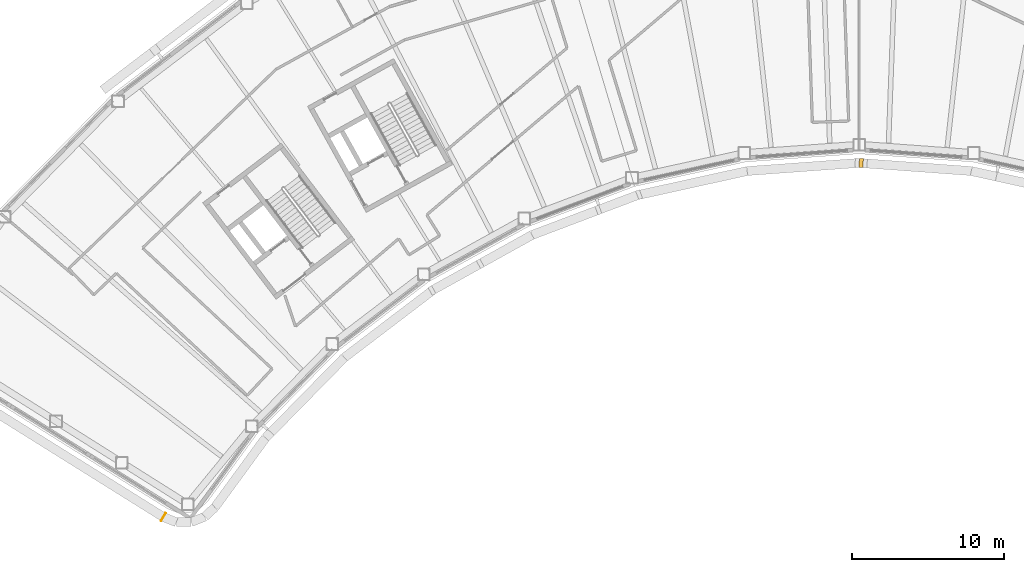
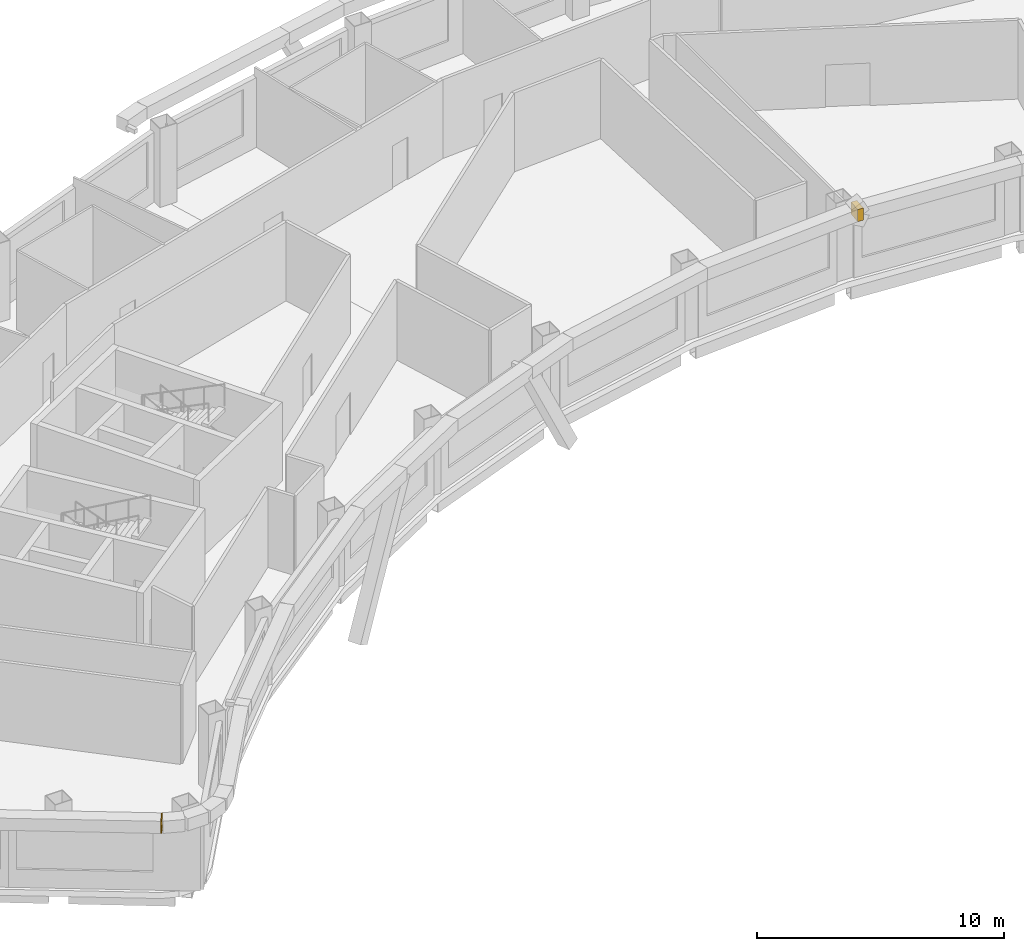
# One storey, part 15 of 15: 2 coverings.
"""IFC4 building model written with IfcOpenShell, lengths in metres."""

from ifc_helpers import new_model, si_unit, direction, frame, origin, origin_2d, place, context, subcontext, project, spatial, rectangle, extrude, material, material_profile, profile_set, type_object, element, save


model = new_model("IFC4")

# Units and contexts
model_context = context("Model", 3, precision=1e-05, world=origin(), true_north=direction((0.0, 1.0)))
body_context = subcontext(model_context, "Body", "Model", "MODEL_VIEW")
ifc_project = project(units=[si_unit("LENGTHUNIT", "METRE"), si_unit("AREAUNIT", "SQUARE_METRE"), si_unit("VOLUMEUNIT", "CUBIC_METRE"), si_unit("PLANEANGLEUNIT", "RADIAN"), si_unit("MASSUNIT", "GRAM", prefix="KILO")], contexts=[model_context])

# Site, building, storey
site_placement = place(None, origin())
site = spatial("IfcSite", under=ifc_project, at=site_placement, CompositionType="ELEMENT")
building_placement = place(site_placement, origin())
building = spatial("IfcBuilding", under=site, at=building_placement, Name="Tuul Gate Civic Tower", CompositionType="ELEMENT")
storey_placement = place(building_placement, frame((0.0, 0.0, 332.300048828125)))
storey = spatial("IfcBuildingStorey", under=building, at=storey_placement, Name="Level 75", CompositionType="ELEMENT", Elevation=332.300048828125)

# Coverings
ifc_material = material(Name="Terracotta baguette", Category="masonry")
ifc_material_profile = material_profile(ifc_material, rectangle(XDim=0.60009765625, YDim=0.60009765625, at=origin_2d()), Name="Terracotta baguette screen frame")
ifc_profile_set = profile_set([ifc_material_profile], Name="Terracotta baguette")
covering_type = type_object("IfcCoveringType", Name="Terracotta baguette screen frame", PredefinedType="CLADDING", material=ifc_profile_set)
covering_1_placement = place(storey_placement, frame((-43.7373046875, -32.078369140625, 3.849853515625), z_axis=(0.848779090136, -0.528747629921, 0.0), x_axis=(0.528747629921, 0.848779090136, 0.0)))
element("IfcCovering", 1, at=covering_1_placement, inside=storey, type_object=covering_type, Name="Baguette 164", PredefinedType="CLADDING", context=body_context, shape_type="SweptSolid", body=[
    extrude(rectangle(XDim=0.60009765625, YDim=0.60009765625, at=origin_2d()), origin(), (0.0, 0.0, 1.0), 0.052734375),
])
covering_2_placement = place(storey_placement, frame((2.19189453125, -8.73095703125, 3.849853515625), z_axis=(0.997368261677, -0.072502073076, 0.0), x_axis=(0.072502073076, 0.997368261677, 0.0)))
element("IfcCovering", 2, at=covering_2_placement, inside=storey, type_object=covering_type, Name="Baguette 353", PredefinedType="CLADDING", context=body_context, shape_type="SweptSolid", body=[
    extrude(rectangle(XDim=0.60009765625, YDim=0.60009765625, at=origin_2d()), origin(), (0.0, 0.0, 1.0), 0.2626953125),
])

save(model, "model.ifc")
